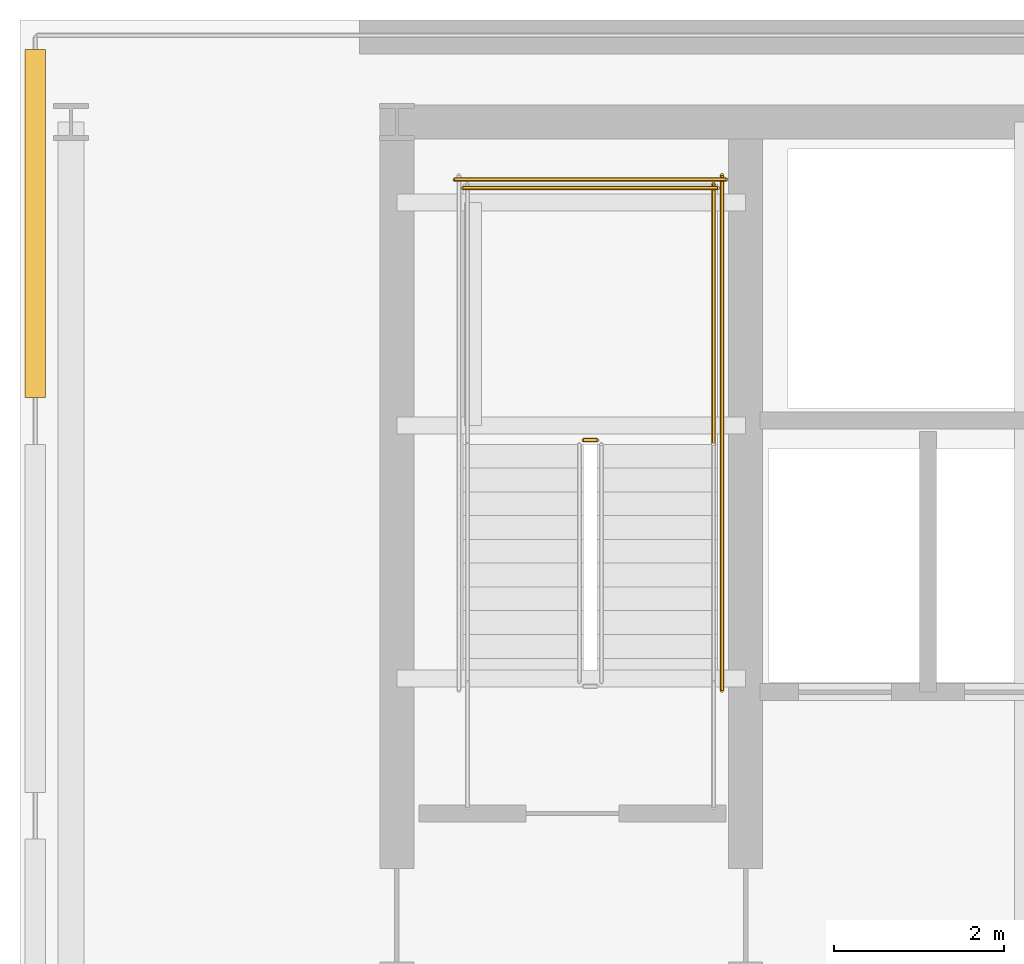
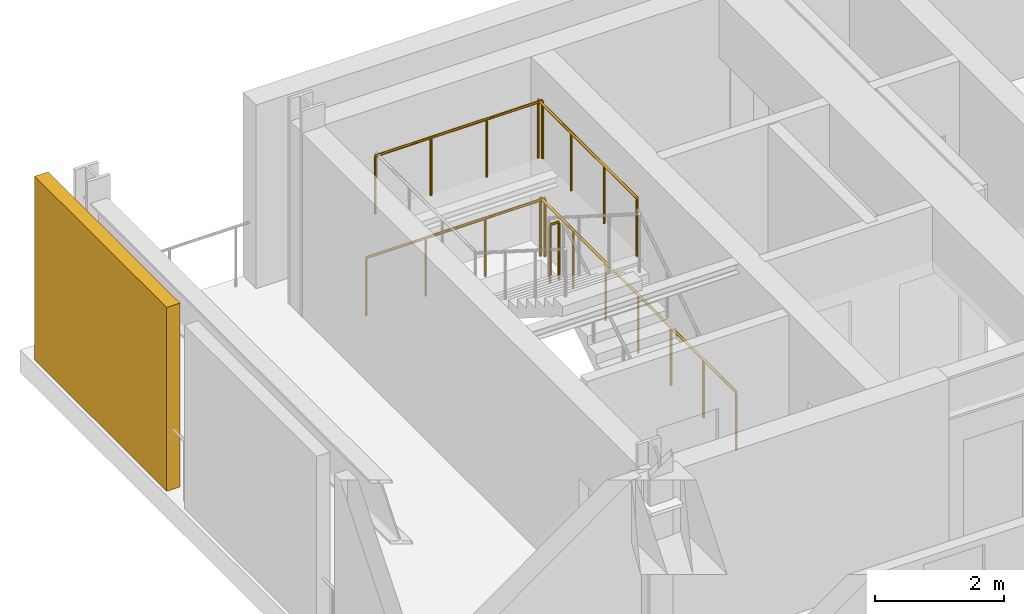
# One storey, part 6 of 8: 5 railings, 1 shading device.
"""IFC4 building model written with IfcOpenShell, lengths in metres."""

from ifc_helpers import new_model, si_unit, direction, frame, origin, origin_2d, place, context, subcontext, project, spatial, rectangle, circle, extrude, material, layer, layer_set, type_object, element, save


model = new_model("IFC4")

# Units and contexts
model_context = context("Model", 3, precision=1e-05, world=origin(), true_north=direction((0.0, 1.0)))
body_context = subcontext(model_context, "Body", "Model", "MODEL_VIEW")
ifc_project = project(units=[si_unit("LENGTHUNIT", "METRE"), si_unit("AREAUNIT", "SQUARE_METRE"), si_unit("VOLUMEUNIT", "CUBIC_METRE"), si_unit("PLANEANGLEUNIT", "RADIAN"), si_unit("MASSUNIT", "GRAM", prefix="KILO")], contexts=[model_context])

# Site, building, storey
site_placement = place(None, origin())
site = spatial("IfcSite", under=ifc_project, at=site_placement, CompositionType="ELEMENT")
building_placement = place(site_placement, origin())
building = spatial("IfcBuilding", under=site, at=building_placement, Name="Yelkora Congress Tower", CompositionType="ELEMENT")
storey_placement = place(building_placement, frame((0.0, 0.0, 255.199951171875)))
storey = spatial("IfcBuildingStorey", under=building, at=storey_placement, Name="L71", CompositionType="ELEMENT", Elevation=255.199951171875)

# Railings
ifc_material_1 = material(Name="Painted galvanised steel stair well guard with vertical infill", Category="steel")
ifc_layer_1 = layer(ifc_material_1, 0.06005859375)
ifc_layer_set_1 = layer_set([ifc_layer_1], Name="Painted galvanised steel stair well guard with vertical infill")
railing_type = type_object("IfcRailingType", Name="RAIL-STAIR-GUARD-1120", PredefinedType="GUARDRAIL", material=ifc_layer_set_1)
railing_1_placement = place(storey_placement, frame((25.39990234375, 42.449951171875, 1.949951171875)))
element("IfcRailing", 1, at=railing_1_placement, inside=storey, type_object=railing_type, Name="ST-01 L71 Stair Well Guardrail 2", PredefinedType="GUARDRAIL", context=body_context, shape_type="SweptSolid", body=[
    extrude(circle(Radius=0.02392578125, at=origin_2d()), frame((0.0, 0.0, 1.09619140625), z_axis=(-1.0, 0.0, 0.0), x_axis=(0.0, -1.0, 0.0)), (0.0, 0.0, 1.0), 0.159912109375),
    extrude(circle(Radius=0.02099609375, at=origin_2d()), origin(), (0.0, 0.0, 1.0), 1.072021484375),
    extrude(circle(Radius=0.02099609375, at=origin_2d()), frame((-0.159912109375, 0.0, 0.0)), (0.0, 0.0, 1.0), 1.072021484375),
])
railing_2_placement = place(storey_placement, frame((26.77001953125, 42.39990234375, 1.949951171875)))
element("IfcRailing", 2, at=railing_2_placement, inside=storey, type_object=railing_type, Name="ST-01 L71 Stair Well Guardrail 3", PredefinedType="GUARDRAIL", context=body_context, shape_type="SweptSolid", body=[
    extrude(circle(Radius=0.02392578125, at=origin_2d()), frame((0.0, 0.0, 1.09619140625), z_axis=(0.0, 1.0, 0.0), x_axis=(-1.0, 0.0, 0.0)), (0.0, 0.0, 1.0), 3.070068359375),
    extrude(circle(Radius=0.02099609375, at=origin_2d()), origin(), (0.0, 0.0, 1.0), 1.072021484375),
    extrude(circle(Radius=0.02099609375, at=origin_2d()), frame((0.0, 1.0234375, 0.0)), (0.0, 0.0, 1.0), 1.072021484375),
    extrude(circle(Radius=0.02099609375, at=origin_2d()), frame((0.0, 2.046630859375, 0.0)), (0.0, 0.0, 1.0), 1.072021484375),
    extrude(circle(Radius=0.02099609375, at=origin_2d()), frame((0.0, 3.070068359375, 0.0)), (0.0, 0.0, 1.0), 1.072021484375),
])
railing_3_placement = place(storey_placement, frame((26.820068359375, 45.419921875, 1.949951171875)))
element("IfcRailing", 3, at=railing_3_placement, inside=storey, type_object=railing_type, Name="ST-01 L71 Stair Well Guardrail 5", PredefinedType="GUARDRAIL", context=body_context, shape_type="SweptSolid", body=[
    extrude(circle(Radius=0.02392578125, at=origin_2d()), frame((0.0, 0.0, 1.09619140625), z_axis=(-1.0, 0.0, 0.0), x_axis=(0.0, -1.0, 0.0)), (0.0, 0.0, 1.0), 3.0),
    extrude(circle(Radius=0.02099609375, at=origin_2d()), origin(), (0.0, 0.0, 1.0), 1.072021484375),
    extrude(circle(Radius=0.02099609375, at=origin_2d()), frame((-1.0, 0.0, 0.0)), (0.0, 0.0, 1.0), 1.072021484375),
    extrude(circle(Radius=0.02099609375, at=origin_2d()), frame((-2.0, 0.0, 0.0)), (0.0, 0.0, 1.0), 1.072021484375),
    extrude(circle(Radius=0.02099609375, at=origin_2d()), frame((-3.0, 0.0, 0.0)), (0.0, 0.0, 1.0), 1.072021484375),
])
railing_4_placement = place(storey_placement, frame((26.8701171875, 39.5, 0.0)))
element("IfcRailing", 4, at=railing_4_placement, inside=storey, type_object=railing_type, Name="ST-01 L71 Stair Well Guardrail 10", PredefinedType="GUARDRAIL", context=body_context, shape_type="SweptSolid", body=[
    extrude(circle(Radius=0.02392578125, at=origin_2d()), frame((0.0, 0.0, 1.09619140625), z_axis=(0.0, 1.0, 0.0), x_axis=(-1.0, 0.0, 0.0)), (0.0, 0.0, 1.0), 6.070068359375),
    extrude(circle(Radius=0.02099609375, at=origin_2d()), origin(), (0.0, 0.0, 1.0), 1.072021484375),
    extrude(circle(Radius=0.02099609375, at=origin_2d()), frame((0.0, 1.01171875, 0.0)), (0.0, 0.0, 1.0), 1.072021484375),
    extrude(circle(Radius=0.02099609375, at=origin_2d()), frame((0.0, 2.0234375, 0.0)), (0.0, 0.0, 1.0), 1.072021484375),
    extrude(circle(Radius=0.02099609375, at=origin_2d()), frame((0.0, 3.03515625, 0.0)), (0.0, 0.0, 1.0), 1.072021484375),
    extrude(circle(Radius=0.02099609375, at=origin_2d()), frame((0.0, 4.046630859375, 0.0)), (0.0, 0.0, 1.0), 1.072021484375),
    extrude(circle(Radius=0.02099609375, at=origin_2d()), frame((0.0, 5.058349609375, 0.0)), (0.0, 0.0, 1.0), 1.072021484375),
    extrude(circle(Radius=0.02099609375, at=origin_2d()), frame((0.0, 6.070068359375, 0.0)), (0.0, 0.0, 1.0), 1.072021484375),
])
railing_5_placement = place(storey_placement, frame((26.919921875, 45.52001953125, 0.0)))
element("IfcRailing", 5, at=railing_5_placement, inside=storey, type_object=railing_type, Name="ST-01 L71 Stair Well Guardrail 12", PredefinedType="GUARDRAIL", context=body_context, shape_type="SweptSolid", body=[
    extrude(circle(Radius=0.02392578125, at=origin_2d()), frame((0.0, 0.0, 1.09619140625), z_axis=(-1.0, 0.0, 0.0), x_axis=(0.0, -1.0, 0.0)), (0.0, 0.0, 1.0), 3.199951171875),
    extrude(circle(Radius=0.02099609375, at=origin_2d()), origin(), (0.0, 0.0, 1.0), 1.072021484375),
    extrude(circle(Radius=0.02099609375, at=origin_2d()), frame((-1.066650390625, 0.0, 0.0)), (0.0, 0.0, 1.0), 1.072021484375),
    extrude(circle(Radius=0.02099609375, at=origin_2d()), frame((-2.13330078125, 0.0, 0.0)), (0.0, 0.0, 1.0), 1.072021484375),
    extrude(circle(Radius=0.02099609375, at=origin_2d()), frame((-3.199951171875, 0.0, 0.0)), (0.0, 0.0, 1.0), 1.072021484375),
])

# Shading device
ifc_material_2 = material(Name="Perforated anodised aluminium louvre", Category="aluminium")
ifc_layer_2 = layer(ifc_material_2, 3.39990234375)
ifc_layer_set_2 = layer_set([ifc_layer_2], Name="Perforated anodised aluminium louvre")
shading_device_type = type_object("IfcShadingDeviceType", Name="SHD-LOUVRE-WIND", PredefinedType="JALOUSIE", material=ifc_layer_set_2)
shading_device_placement = place(storey_placement, frame((18.780029296875, 45.0, 0.0), z_axis=(0.0, 0.0, 1.0), x_axis=(1.0, 0.0, 0.0)))
element("IfcShadingDevice", 6, at=shading_device_placement, inside=storey, type_object=shading_device_type, Name="L71 Acoustic Wind-Floor Louvre Screen W5", PredefinedType="JALOUSIE", context=body_context, shape_type="SweptSolid", body=[
    extrude(rectangle(XDim=0.239990234375, YDim=4.10009765625, at=origin_2d()), origin(), (0.0, 0.0, 1.0), 3.47998046875),
])

save(model, "model.ifc")
